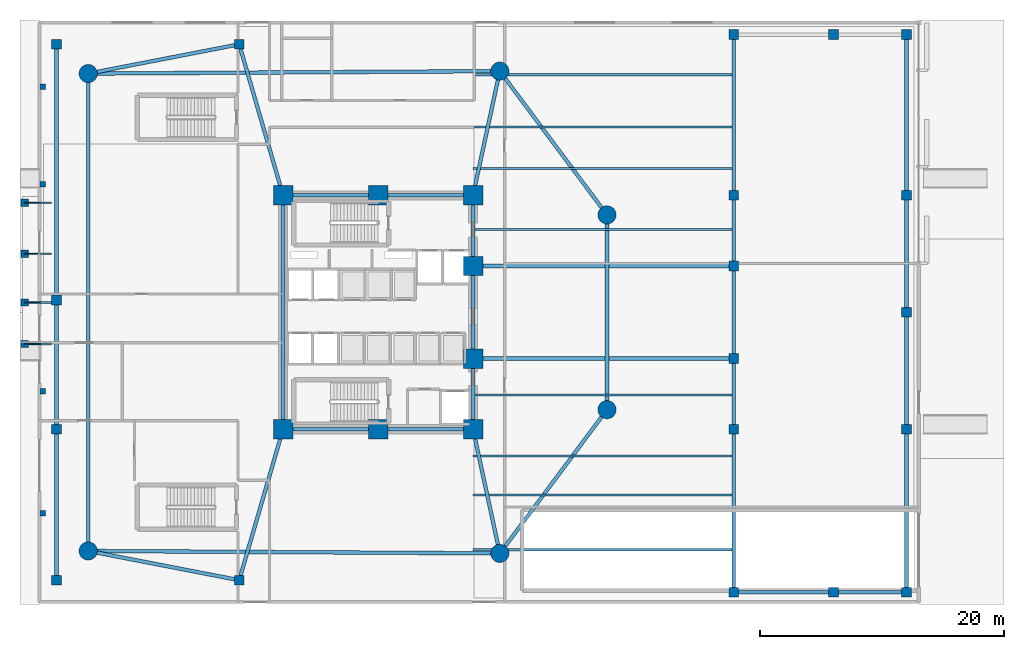
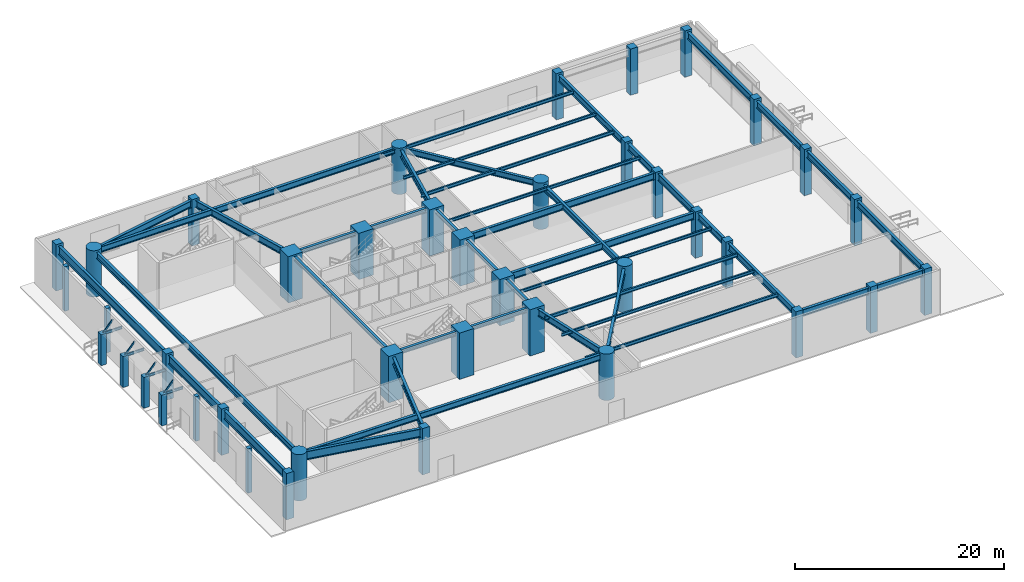
# One storey, part 1 of 16: 41 columns, 40 beams, 4 members.
"""IFC4 building model written with IfcOpenShell, lengths in metres."""

from ifc_helpers import new_model, si_unit, direction, frame, origin, origin_2d, place, context, subcontext, project, spatial, rectangle, hollow_rectangle, circle, i_section, extrude, material, material_profile, profile_set, type_object, element, save


model = new_model("IFC4")

# Units and contexts
model_context = context("Model", 3, precision=1e-05, world=origin(), true_north=direction((0.0, 1.0)))
body_context = subcontext(model_context, "Body", "Model", "MODEL_VIEW")
ifc_project = project(units=[si_unit("LENGTHUNIT", "METRE"), si_unit("AREAUNIT", "SQUARE_METRE"), si_unit("VOLUMEUNIT", "CUBIC_METRE"), si_unit("PLANEANGLEUNIT", "RADIAN"), si_unit("MASSUNIT", "GRAM", prefix="KILO")], contexts=[model_context])

# Site, building, storey
site_placement = place(None, origin())
site = spatial("IfcSite", under=ifc_project, at=site_placement, CompositionType="ELEMENT")
building_placement = place(site_placement, origin())
building = spatial("IfcBuilding", under=site, at=building_placement, Name="An Khanh Terracotta Commons", CompositionType="ELEMENT")
storey_placement = place(building_placement, origin())
storey = spatial("IfcBuildingStorey", under=building, at=storey_placement, Name="L01", CompositionType="ELEMENT", Elevation=0.0)

# Columns
ifc_material_1 = material(Name="Concrete C70/85", Category="concrete")
ifc_material_profile_1 = material_profile(ifc_material_1, circle(Radius=0.75, at=origin_2d()), Name="CFST1500")
ifc_profile_set_1 = profile_set([ifc_material_profile_1], Name="Concrete C70/85")
column_type_1 = type_object("IfcColumnType", Name="COL-CFST1500", PredefinedType="COLUMN", material=ifc_profile_set_1)
for number, where, z_axis, x_axis, name in (
    (1, (5.60009765625, 4.39990234375, 0.0), (0.0, 0.0, 1.0), (1.0, 0.0, 0.0), "L01 Mega-Column MC-01"),
    (2, (39.39990234375, 4.199951171875, 0.0), (0.0, 0.0, 1.0), (1.0, 0.0, 0.0), "L01 Mega-Column MC-02"),
    (3, (48.199951171875, 16.0, 0.0), (0.0, 0.0, 1.0), (1.0, 0.0, 0.0), "L01 Mega-Column MC-03"),
    (4, (48.199951171875, 32.0, 0.0), (0.0, 0.0, 1.0), (1.0, 0.0, 0.0), "L01 Mega-Column MC-04"),
    (5, (39.39990234375, 43.800048828125, 0.0), (0.0, 0.0, 1.0), (1.0, 0.0, 0.0), "L01 Mega-Column MC-05"),
    (6, (5.60009765625, 43.60009765625, 0.0), (0.0, 0.0, 1.0), (1.0, 0.0, 0.0), "L01 Mega-Column MC-06"),
):
    element("IfcColumn", number, at=place(storey_placement, frame(where, z_axis=z_axis, x_axis=x_axis)), inside=storey, type_object=column_type_1, Name=name, PredefinedType="COLUMN", context=body_context, shape_type="SweptSolid", body=[
        extrude(circle(Radius=0.75, at=origin_2d()), origin(), (0.0, 0.0, 1.0), 5.39990234375),
    ])
ifc_material_profile_2 = material_profile(ifc_material_1, rectangle(XDim=1.60009765625, YDim=1.60009765625, at=origin_2d()), Name="RC1600x1600")
ifc_profile_set_2 = profile_set([ifc_material_profile_2], Name="Concrete C70/85")
column_type_2 = type_object("IfcColumnType", Name="COL-RC1600x1600", PredefinedType="COLUMN", material=ifc_profile_set_2)
for number, where, z_axis, x_axis, name in (
    (7, (21.60009765625, 14.39990234375, 0.0), (0.0, 0.0, 1.0), (1.0, 0.0, 0.0), "L01 Core Boundary Column CC-01"),
    (8, (29.39990234375, 14.39990234375, 0.0), (0.0, 0.0, 1.0), (1.0, 0.0, 0.0), "L01 Core Boundary Column CC-02"),
    (9, (37.199951171875, 14.39990234375, 0.0), (0.0, 0.0, 1.0), (1.0, 0.0, 0.0), "L01 Core Boundary Column CC-03"),
    (10, (37.199951171875, 20.199951171875, 0.0), (0.0, 0.0, 1.0), (1.0, 0.0, 0.0), "L01 Core Boundary Column CC-04"),
    (11, (37.199951171875, 27.800048828125, 0.0), (0.0, 0.0, 1.0), (1.0, 0.0, 0.0), "L01 Core Boundary Column CC-05"),
    (12, (37.199951171875, 33.60009765625, 0.0), (0.0, 0.0, 1.0), (1.0, 0.0, 0.0), "L01 Core Boundary Column CC-06"),
    (13, (29.39990234375, 33.60009765625, 0.0), (0.0, 0.0, 1.0), (1.0, 0.0, 0.0), "L01 Core Boundary Column CC-07"),
    (14, (21.60009765625, 33.60009765625, 0.0), (0.0, 0.0, 1.0), (1.0, 0.0, 0.0), "L01 Core Boundary Column CC-08"),
):
    element("IfcColumn", number, at=place(storey_placement, frame(where, z_axis=z_axis, x_axis=x_axis)), inside=storey, type_object=column_type_2, Name=name, PredefinedType="COLUMN", context=body_context, shape_type="SweptSolid", body=[
        extrude(rectangle(XDim=1.60009765625, YDim=1.60009765625, at=origin_2d()), origin(), (0.0, 0.0, 1.0), 5.39990234375),
    ])
ifc_material_2 = material(Name="Concrete C50/60", Category="concrete")
ifc_material_profile_3 = material_profile(ifc_material_2, rectangle(XDim=0.60009765625, YDim=0.60009765625, at=origin_2d()), Name="RC600x600")
ifc_profile_set_3 = profile_set([ifc_material_profile_3], Name="Concrete C50/60")
column_type_3 = type_object("IfcColumnType", Name="COL-RC600x600", PredefinedType="COLUMN", material=ifc_profile_set_3)
for number, where, z_axis, x_axis, name in (
    (15, (0.39990234375, 21.39990234375, 0.0), (0.0, 0.0, 1.0), (1.0, 0.0, 0.0), "L01 Boulevard Canopy Support Column 1"),
    (16, (0.39990234375, 24.800048828125, 0.0), (0.0, 0.0, 1.0), (1.0, 0.0, 0.0), "L01 Boulevard Canopy Support Column 2"),
    (17, (0.39990234375, 28.800048828125, 0.0), (0.0, 0.0, 1.0), (1.0, 0.0, 0.0), "L01 Boulevard Canopy Support Column 3"),
    (18, (0.39990234375, 33.0, 0.0), (0.0, 0.0, 1.0), (1.0, 0.0, 0.0), "L01 Boulevard Canopy Support Column 4"),
):
    element("IfcColumn", number, at=place(storey_placement, frame(where, z_axis=z_axis, x_axis=x_axis)), inside=storey, type_object=column_type_3, Name=name, PredefinedType="COLUMN", context=body_context, shape_type="SweptSolid", body=[
        extrude(rectangle(XDim=0.60009765625, YDim=0.60009765625, at=origin_2d()), origin(), (0.0, 0.0, 1.0), 3.60009765625),
    ])
ifc_material_3 = material(Name="Concrete C60/75", Category="concrete")
ifc_material_profile_4 = material_profile(ifc_material_3, rectangle(XDim=0.800048828125, YDim=0.800048828125, at=origin_2d()), Name="RC800x800")
ifc_profile_set_4 = profile_set([ifc_material_profile_4], Name="Concrete C60/75")
column_type_4 = type_object("IfcColumnType", Name="COL-RC800x800", PredefinedType="COLUMN", material=ifc_profile_set_4)
for number, where, z_axis, x_axis, name in (
    (19, (3.0, 2.0, 0.0), (0.0, 0.0, 1.0), (1.0, 0.0, 0.0), "L01 Podium Column PC-01"),
    (20, (18.0, 2.0, 0.0), (0.0, 0.0, 1.0), (1.0, 0.0, 0.0), "L01 Podium Column PC-02"),
    (21, (58.60009765625, 1.0, 0.0), (0.0, 0.0, 1.0), (1.0, 0.0, 0.0), "L01 Podium Column PC-03"),
    (22, (72.800048828125, 1.0, 0.0), (0.0, 0.0, 1.0), (1.0, 0.0, 0.0), "L01 Podium Column PC-04"),
    (23, (72.800048828125, 14.39990234375, 0.0), (0.0, 0.0, 1.0), (1.0, 0.0, 0.0), "L01 Podium Column PC-05"),
    (24, (72.800048828125, 24.0, 0.0), (0.0, 0.0, 1.0), (1.0, 0.0, 0.0), "L01 Podium Column PC-06"),
    (25, (72.800048828125, 33.60009765625, 0.0), (0.0, 0.0, 1.0), (1.0, 0.0, 0.0), "L01 Podium Column PC-07"),
    (26, (72.800048828125, 46.800048828125, 0.0), (0.0, 0.0, 1.0), (1.0, 0.0, 0.0), "L01 Podium Column PC-08"),
    (27, (58.60009765625, 46.800048828125, 0.0), (0.0, 0.0, 1.0), (1.0, 0.0, 0.0), "L01 Podium Column PC-09"),
    (28, (18.0, 46.0, 0.0), (0.0, 0.0, 1.0), (1.0, 0.0, 0.0), "L01 Podium Column PC-10"),
    (29, (3.0, 46.0, 0.0), (0.0, 0.0, 1.0), (1.0, 0.0, 0.0), "L01 Podium Column PC-11"),
    (30, (3.0, 14.39990234375, 0.0), (0.0, 0.0, 1.0), (1.0, 0.0, 0.0), "L01 Podium Column PC-12"),
    (31, (3.0, 25.0, 0.0), (0.0, 0.0, 1.0), (1.0, 0.0, 0.0), "L01 Podium Column PC-17"),
    (32, (58.60009765625, 20.199951171875, 0.0), (0.0, 0.0, 1.0), (1.0, 0.0, 0.0), "L01 Podium Column PC-13"),
    (33, (58.60009765625, 27.800048828125, 0.0), (0.0, 0.0, 1.0), (1.0, 0.0, 0.0), "L01 Podium Column PC-14"),
    (34, (58.60009765625, 14.39990234375, 0.0), (0.0, 0.0, 1.0), (1.0, 0.0, 0.0), "L01 Podium Column PC-18"),
    (35, (58.60009765625, 33.60009765625, 0.0), (0.0, 0.0, 1.0), (1.0, 0.0, 0.0), "L01 Podium Column PC-19"),
    (36, (66.800048828125, 1.0, 0.0), (0.0, 0.0, 1.0), (1.0, 0.0, 0.0), "L01 Podium Column PC-15"),
    (37, (66.800048828125, 46.800048828125, 0.0), (0.0, 0.0, 1.0), (1.0, 0.0, 0.0), "L01 Podium Column PC-16"),
):
    element("IfcColumn", number, at=place(storey_placement, frame(where, z_axis=z_axis, x_axis=x_axis)), inside=storey, type_object=column_type_4, Name=name, PredefinedType="COLUMN", context=body_context, shape_type="SweptSolid", body=[
        extrude(rectangle(XDim=0.800048828125, YDim=0.800048828125, at=origin_2d()), origin(), (0.0, 0.0, 1.0), 5.39990234375),
    ])
ifc_material_profile_5 = material_profile(ifc_material_2, rectangle(XDim=0.449951171875, YDim=0.449951171875, at=origin_2d()), Name="RC450x450")
ifc_profile_set_5 = profile_set([ifc_material_profile_5], Name="Concrete C50/60")
column_type_5 = type_object("IfcColumnType", Name="PIL-RC450x450", PredefinedType="PILASTER", material=ifc_profile_set_5)
for number, where, z_axis, x_axis, name in (
    (38, (1.85009765625, 7.5, 0.0), (0.0, 0.0, 1.0), (1.0, 0.0, 0.0), "L01 Boulevard Arcade Pilaster 1"),
    (39, (1.85009765625, 17.5, 0.0), (0.0, 0.0, 1.0), (1.0, 0.0, 0.0), "L01 Boulevard Arcade Pilaster 2"),
    (40, (1.85009765625, 34.5, 0.0), (0.0, 0.0, 1.0), (1.0, 0.0, 0.0), "L01 Boulevard Arcade Pilaster 3"),
    (41, (1.85009765625, 42.5, 0.0), (0.0, 0.0, 1.0), (1.0, 0.0, 0.0), "L01 Boulevard Arcade Pilaster 4"),
):
    element("IfcColumn", number, at=place(storey_placement, frame(where, z_axis=z_axis, x_axis=x_axis)), inside=storey, type_object=column_type_5, Name=name, PredefinedType="PILASTER", context=body_context, shape_type="SweptSolid", body=[
        extrude(rectangle(XDim=0.449951171875, YDim=0.449951171875, at=origin_2d()), origin(), (0.0, 0.0, 1.0), 5.179931640625),
    ])

# Beams
ifc_material_4 = material(Name="Steel S355J2", Category="steel")
ifc_material_profile_6 = material_profile(ifc_material_4, i_section(OverallWidth=0.300048828125, OverallDepth=0.449951171875, WebThickness=0.013916015625, FlangeThickness=0.02587890625, FilletRadius=0.027099609375, at=origin_2d()), Name="HEB450")
ifc_profile_set_6 = profile_set([ifc_material_profile_6], Name="Steel S355J2")
beam_type_1 = type_object("IfcBeamType", Name="BM-HEB450", PredefinedType="BEAM", material=ifc_profile_set_6)
beam_1_placement = place(storey_placement, frame((37.199951171875, 14.39990234375, 4.955078125), z_axis=(0.0, 1.0, 0.0), x_axis=(-1.0, 0.0, 0.0)))
element("IfcBeam", 42, at=beam_1_placement, inside=storey, type_object=beam_type_1, Name="L01 Core East Coupling Girder 1", PredefinedType="BEAM", context=body_context, shape_type="SweptSolid", body=[
    extrude(i_section(OverallWidth=0.300048828125, OverallDepth=0.449951171875, WebThickness=0.013916015625, FlangeThickness=0.02587890625, FilletRadius=0.027099609375, at=origin_2d()), origin(), (0.0, 0.0, 1.0), 5.800048828125),
])
beam_2_placement = place(storey_placement, frame((37.199951171875, 20.199951171875, 4.955078125), z_axis=(0.0, 1.0, 0.0), x_axis=(-1.0, 0.0, 0.0)))
element("IfcBeam", 43, at=beam_2_placement, inside=storey, type_object=beam_type_1, Name="L01 Core East Coupling Girder 2", PredefinedType="BEAM", context=body_context, shape_type="SweptSolid", body=[
    extrude(i_section(OverallWidth=0.300048828125, OverallDepth=0.449951171875, WebThickness=0.013916015625, FlangeThickness=0.02587890625, FilletRadius=0.027099609375, at=origin_2d()), origin(), (0.0, 0.0, 1.0), 7.60009765625),
])
beam_3_placement = place(storey_placement, frame((37.199951171875, 27.800048828125, 4.955078125), z_axis=(0.0, 1.0, 0.0), x_axis=(-1.0, 0.0, 0.0)))
element("IfcBeam", 44, at=beam_3_placement, inside=storey, type_object=beam_type_1, Name="L01 Core East Coupling Girder 3", PredefinedType="BEAM", context=body_context, shape_type="SweptSolid", body=[
    extrude(i_section(OverallWidth=0.300048828125, OverallDepth=0.449951171875, WebThickness=0.013916015625, FlangeThickness=0.02587890625, FilletRadius=0.027099609375, at=origin_2d()), origin(), (0.0, 0.0, 1.0), 5.800048828125),
])
beam_4_placement = place(storey_placement, frame((21.60009765625, 14.39990234375, 4.955078125), z_axis=(0.0, 1.0, 0.0), x_axis=(-1.0, 0.0, 0.0)))
element("IfcBeam", 45, at=beam_4_placement, inside=storey, type_object=beam_type_1, Name="L01 Core West Coupling Girder", PredefinedType="BEAM", context=body_context, shape_type="SweptSolid", body=[
    extrude(i_section(OverallWidth=0.300048828125, OverallDepth=0.449951171875, WebThickness=0.013916015625, FlangeThickness=0.02587890625, FilletRadius=0.027099609375, at=origin_2d()), origin(), (0.0, 0.0, 1.0), 19.2001953125),
])
ifc_material_profile_7 = material_profile(ifc_material_4, i_section(OverallWidth=0.300048828125, OverallDepth=0.5, WebThickness=0.014404296875, FlangeThickness=0.028076171875, FilletRadius=0.027099609375, at=origin_2d()), Name="HEB500")
ifc_profile_set_7 = profile_set([ifc_material_profile_7], Name="Steel S355J2")
beam_type_2 = type_object("IfcBeamType", Name="BM-HEB500", PredefinedType="BEAM", material=ifc_profile_set_7)
for number, where, z_axis, x_axis, name in (
    (46, (21.60009765625, 14.39990234375, 4.929931640625), (1.0, 0.0, 0.0), (0.0, 1.0, 0.0), "L01 Core South Coupling Girder"),
    (47, (21.60009765625, 33.60009765625, 4.929931640625), (1.0, 0.0, 0.0), (0.0, 1.0, 0.0), "L01 Core North Coupling Girder"),
):
    element("IfcBeam", number, at=place(storey_placement, frame(where, z_axis=z_axis, x_axis=x_axis)), inside=storey, type_object=beam_type_2, Name=name, PredefinedType="BEAM", context=body_context, shape_type="SweptSolid", body=[
        extrude(i_section(OverallWidth=0.300048828125, OverallDepth=0.5, WebThickness=0.014404296875, FlangeThickness=0.028076171875, FilletRadius=0.027099609375, at=origin_2d()), origin(), (0.0, 0.0, 1.0), 15.599853515625),
    ])
ifc_material_profile_8 = material_profile(ifc_material_4, i_section(OverallWidth=0.300048828125, OverallDepth=0.699951171875, WebThickness=0.01708984375, FlangeThickness=0.031982421875, FilletRadius=0.027099609375, at=origin_2d()), Name="HEB700")
ifc_profile_set_8 = profile_set([ifc_material_profile_8], Name="Steel S355J2")
beam_type_3 = type_object("IfcBeamType", Name="BM-HEB700", PredefinedType="BEAM", material=ifc_profile_set_8)
beam_5_placement = place(storey_placement, frame((5.60009765625, 4.39990234375, 4.830078125), z_axis=(0.999982502414, -0.005915645817, 0.0), x_axis=(0.005915645817, 0.999982502414, 0.0)))
element("IfcBeam", 48, at=beam_5_placement, inside=storey, type_object=beam_type_3, Name="L01 Podium Mega-Ring Girder 1", PredefinedType="BEAM", context=body_context, shape_type="SweptSolid", body=[
    extrude(i_section(OverallWidth=0.300048828125, OverallDepth=0.699951171875, WebThickness=0.01708984375, FlangeThickness=0.031982421875, FilletRadius=0.027099609375, at=origin_2d()), origin(), (0.0, 0.0, 1.0), 33.80029296875),
])
beam_6_placement = place(storey_placement, frame((39.39990234375, 4.199951171875, 4.830078125), z_axis=(0.59782442166, 0.801627070942, 0.0), x_axis=(-0.801627070942, 0.59782442166, 0.0)))
element("IfcBeam", 49, at=beam_6_placement, inside=storey, type_object=beam_type_3, Name="L01 Podium Mega-Ring Girder 2", PredefinedType="BEAM", context=body_context, shape_type="SweptSolid", body=[
    extrude(i_section(OverallWidth=0.300048828125, OverallDepth=0.699951171875, WebThickness=0.01708984375, FlangeThickness=0.031982421875, FilletRadius=0.027099609375, at=origin_2d()), origin(), (0.0, 0.0, 1.0), 14.72021484375),
])
beam_7_placement = place(storey_placement, frame((48.199951171875, 16.0, 4.830078125), z_axis=(0.0, 1.0, 0.0), x_axis=(-1.0, 0.0, 0.0)))
element("IfcBeam", 50, at=beam_7_placement, inside=storey, type_object=beam_type_3, Name="L01 Podium Mega-Ring Girder 3", PredefinedType="BEAM", context=body_context, shape_type="SweptSolid", body=[
    extrude(i_section(OverallWidth=0.300048828125, OverallDepth=0.699951171875, WebThickness=0.01708984375, FlangeThickness=0.031982421875, FilletRadius=0.027099609375, at=origin_2d()), origin(), (0.0, 0.0, 1.0), 16.0),
])
beam_8_placement = place(storey_placement, frame((48.199951171875, 32.0, 4.830078125), z_axis=(-0.59782442166, 0.801627070942, 0.0), x_axis=(-0.801627070942, -0.59782442166, 0.0)))
element("IfcBeam", 51, at=beam_8_placement, inside=storey, type_object=beam_type_3, Name="L01 Podium Mega-Ring Girder 4", PredefinedType="BEAM", context=body_context, shape_type="SweptSolid", body=[
    extrude(i_section(OverallWidth=0.300048828125, OverallDepth=0.699951171875, WebThickness=0.01708984375, FlangeThickness=0.031982421875, FilletRadius=0.027099609375, at=origin_2d()), origin(), (0.0, 0.0, 1.0), 14.72021484375),
])
beam_9_placement = place(storey_placement, frame((39.39990234375, 43.800048828125, 4.830078125), z_axis=(-0.999982502414, -0.005915645817, 0.0), x_axis=(0.005915645817, -0.999982502414, 0.0)))
element("IfcBeam", 52, at=beam_9_placement, inside=storey, type_object=beam_type_3, Name="L01 Podium Mega-Ring Girder 5", PredefinedType="BEAM", context=body_context, shape_type="SweptSolid", body=[
    extrude(i_section(OverallWidth=0.300048828125, OverallDepth=0.699951171875, WebThickness=0.01708984375, FlangeThickness=0.031982421875, FilletRadius=0.027099609375, at=origin_2d()), origin(), (0.0, 0.0, 1.0), 33.80029296875),
])
beam_10_placement = place(storey_placement, frame((5.60009765625, 43.60009765625, 4.830078125), z_axis=(0.0, -1.0, 0.0), x_axis=(1.0, 0.0, 0.0)))
element("IfcBeam", 53, at=beam_10_placement, inside=storey, type_object=beam_type_3, Name="L01 Podium Mega-Ring Girder 6", PredefinedType="BEAM", context=body_context, shape_type="SweptSolid", body=[
    extrude(i_section(OverallWidth=0.300048828125, OverallDepth=0.699951171875, WebThickness=0.01708984375, FlangeThickness=0.031982421875, FilletRadius=0.027099609375, at=origin_2d()), origin(), (0.0, 0.0, 1.0), 39.2001953125),
])
ifc_material_profile_9 = material_profile(ifc_material_4, i_section(OverallWidth=0.300048828125, OverallDepth=0.800048828125, WebThickness=0.017578125, FlangeThickness=0.032958984375, FilletRadius=0.030029296875, at=origin_2d()), Name="HEB800")
ifc_profile_set_9 = profile_set([ifc_material_profile_9], Name="Steel S355J2")
beam_type_4 = type_object("IfcBeamType", Name="BM-HEB800", PredefinedType="BEAM", material=ifc_profile_set_9)
beam_11_placement = place(storey_placement, frame((18.0, 2.0, 4.780029296875), z_axis=(0.278819195264, 0.960343613689, 0.0), x_axis=(-0.960343613689, 0.278819195264, 0.0)))
element("IfcBeam", 54, at=beam_11_placement, inside=storey, type_object=beam_type_4, Name="L01 Primary Podium Girder 5", PredefinedType="BEAM", context=body_context, shape_type="SweptSolid", body=[
    extrude(i_section(OverallWidth=0.300048828125, OverallDepth=0.800048828125, WebThickness=0.017578125, FlangeThickness=0.032958984375, FilletRadius=0.030029296875, at=origin_2d()), origin(), (0.0, 0.0, 1.0), 12.911865234375),
])
for number, where, z_axis, x_axis, name in (
    (55, (39.39990234375, 4.199951171875, 4.780029296875), (-0.210834365214, 0.977521800496, 0.0), (-0.977521800496, -0.210834365214, 0.0), "L01 Primary Podium Girder 6"),
    (56, (39.39990234375, 43.800048828125, 4.780029296875), (-0.210834365214, -0.977521800496, 0.0), (0.977521800496, -0.210834365214, 0.0), "L01 Primary Podium Girder 7"),
):
    element("IfcBeam", number, at=place(storey_placement, frame(where, z_axis=z_axis, x_axis=x_axis)), inside=storey, type_object=beam_type_4, Name=name, PredefinedType="BEAM", context=body_context, shape_type="SweptSolid", body=[
        extrude(i_section(OverallWidth=0.300048828125, OverallDepth=0.800048828125, WebThickness=0.017578125, FlangeThickness=0.032958984375, FilletRadius=0.030029296875, at=origin_2d()), origin(), (0.0, 0.0, 1.0), 10.4345703125),
    ])
beam_12_placement = place(storey_placement, frame((5.60009765625, 43.60009765625, 4.780029296875), z_axis=(0.981781013874, 0.190015896168, 0.0), x_axis=(-0.190015896168, 0.981781013874, 0.0)))
element("IfcBeam", 57, at=beam_12_placement, inside=storey, type_object=beam_type_4, Name="L01 Primary Podium Girder 8", PredefinedType="BEAM", context=body_context, shape_type="SweptSolid", body=[
    extrude(i_section(OverallWidth=0.300048828125, OverallDepth=0.800048828125, WebThickness=0.017578125, FlangeThickness=0.032958984375, FilletRadius=0.030029296875, at=origin_2d()), origin(), (0.0, 0.0, 1.0), 12.630126953125),
])
beam_13_placement = place(storey_placement, frame((18.0, 46.0, 4.780029296875), z_axis=(0.278819195264, -0.960343613689, 0.0), x_axis=(0.960343613689, 0.278819195264, 0.0)))
element("IfcBeam", 58, at=beam_13_placement, inside=storey, type_object=beam_type_4, Name="L01 Primary Podium Girder 9", PredefinedType="BEAM", context=body_context, shape_type="SweptSolid", body=[
    extrude(i_section(OverallWidth=0.300048828125, OverallDepth=0.800048828125, WebThickness=0.017578125, FlangeThickness=0.032958984375, FilletRadius=0.030029296875, at=origin_2d()), origin(), (0.0, 0.0, 1.0), 12.911865234375),
])
beam_14_placement = place(storey_placement, frame((58.60009765625, 20.199951171875, 4.780029296875), z_axis=(0.0, 1.0, 0.0), x_axis=(-1.0, 0.0, 0.0)))
element("IfcBeam", 59, at=beam_14_placement, inside=storey, type_object=beam_type_4, Name="L01 Primary Podium Girder 10", PredefinedType="BEAM", context=body_context, shape_type="SweptSolid", body=[
    extrude(i_section(OverallWidth=0.300048828125, OverallDepth=0.800048828125, WebThickness=0.017578125, FlangeThickness=0.032958984375, FilletRadius=0.030029296875, at=origin_2d()), origin(), (0.0, 0.0, 1.0), 7.60009765625),
])
beam_15_placement = place(storey_placement, frame((58.60009765625, 1.0, 4.780029296875), z_axis=(0.0, 1.0, 0.0), x_axis=(-1.0, 0.0, 0.0)))
element("IfcBeam", 60, at=beam_15_placement, inside=storey, type_object=beam_type_4, Name="L01 Primary Podium Girder 11", PredefinedType="BEAM", context=body_context, shape_type="SweptSolid", body=[
    extrude(i_section(OverallWidth=0.300048828125, OverallDepth=0.800048828125, WebThickness=0.017578125, FlangeThickness=0.032958984375, FilletRadius=0.030029296875, at=origin_2d()), origin(), (0.0, 0.0, 1.0), 19.199951171875),
])
beam_16_placement = place(storey_placement, frame((58.60009765625, 27.800048828125, 4.780029296875), z_axis=(0.0, 1.0, 0.0), x_axis=(-1.0, 0.0, 0.0)))
element("IfcBeam", 61, at=beam_16_placement, inside=storey, type_object=beam_type_4, Name="L01 Primary Podium Girder 12", PredefinedType="BEAM", context=body_context, shape_type="SweptSolid", body=[
    extrude(i_section(OverallWidth=0.300048828125, OverallDepth=0.800048828125, WebThickness=0.017578125, FlangeThickness=0.032958984375, FilletRadius=0.030029296875, at=origin_2d()), origin(), (0.0, 0.0, 1.0), 19.0),
])
beam_17_placement = place(storey_placement, frame((58.60009765625, 1.0, 4.780029296875), z_axis=(1.0, 0.0, 0.0), x_axis=(0.0, 1.0, 0.0)))
element("IfcBeam", 62, at=beam_17_placement, inside=storey, type_object=beam_type_4, Name="L01 Primary Podium Girder 13", PredefinedType="BEAM", context=body_context, shape_type="SweptSolid", body=[
    extrude(i_section(OverallWidth=0.300048828125, OverallDepth=0.800048828125, WebThickness=0.017578125, FlangeThickness=0.032958984375, FilletRadius=0.030029296875, at=origin_2d()), origin(), (0.0, 0.0, 1.0), 14.199951171875),
])
beam_18_placement = place(storey_placement, frame((72.800048828125, 1.0, 4.780029296875), z_axis=(0.0, 1.0, 0.0), x_axis=(-1.0, 0.0, 0.0)))
element("IfcBeam", 63, at=beam_18_placement, inside=storey, type_object=beam_type_4, Name="L01 Primary Podium Girder 15", PredefinedType="BEAM", context=body_context, shape_type="SweptSolid", body=[
    extrude(i_section(OverallWidth=0.300048828125, OverallDepth=0.800048828125, WebThickness=0.017578125, FlangeThickness=0.032958984375, FilletRadius=0.030029296875, at=origin_2d()), origin(), (0.0, 0.0, 1.0), 45.800048828125),
])
for number, where, z_axis, x_axis, name in (
    (64, (37.199951171875, 20.199951171875, 4.780029296875), (1.0, 0.0, 0.0), (0.0, 1.0, 0.0), "L01 Primary Podium Girder 16"),
    (65, (37.199951171875, 27.800048828125, 4.780029296875), (1.0, 0.0, 0.0), (0.0, 1.0, 0.0), "L01 Primary Podium Girder 17"),
):
    element("IfcBeam", number, at=place(storey_placement, frame(where, z_axis=z_axis, x_axis=x_axis)), inside=storey, type_object=beam_type_4, Name=name, PredefinedType="BEAM", context=body_context, shape_type="SweptSolid", body=[
        extrude(i_section(OverallWidth=0.300048828125, OverallDepth=0.800048828125, WebThickness=0.017578125, FlangeThickness=0.032958984375, FilletRadius=0.030029296875, at=origin_2d()), origin(), (0.0, 0.0, 1.0), 21.400146484375),
    ])
ifc_material_5 = material(Name="Steel S460ML", Category="steel")
ifc_material_profile_10 = material_profile(ifc_material_5, i_section(OverallWidth=0.302001953125, OverallDepth=1.008056640625, WebThickness=0.02099609375, FlangeThickness=0.0400390625, FilletRadius=0.030029296875, at=origin_2d()), Name="HEM1000")
ifc_profile_set_10 = profile_set([ifc_material_profile_10], Name="Steel S460ML")
beam_type_5 = type_object("IfcBeamType", Name="BM-HEM1000", PredefinedType="BEAM", material=ifc_profile_set_10)
beam_19_placement = place(storey_placement, frame((3.0, 2.0, 4.676025390625), z_axis=(0.0, 1.0, 0.0), x_axis=(-1.0, 0.0, 0.0)))
element("IfcBeam", 66, at=beam_19_placement, inside=storey, type_object=beam_type_5, Name="L01 Primary Podium Girder 1", PredefinedType="BEAM", context=body_context, shape_type="SweptSolid", body=[
    extrude(i_section(OverallWidth=0.302001953125, OverallDepth=1.008056640625, WebThickness=0.02099609375, FlangeThickness=0.0400390625, FilletRadius=0.030029296875, at=origin_2d()), origin(), (0.0, 0.0, 1.0), 12.39990234375),
])
beam_20_placement = place(storey_placement, frame((3.0, 14.39990234375, 4.676025390625), z_axis=(0.0, 1.0, 0.0), x_axis=(-1.0, 0.0, 0.0)))
element("IfcBeam", 67, at=beam_20_placement, inside=storey, type_object=beam_type_5, Name="L01 Primary Podium Girder 2", PredefinedType="BEAM", context=body_context, shape_type="SweptSolid", body=[
    extrude(i_section(OverallWidth=0.302001953125, OverallDepth=1.008056640625, WebThickness=0.02099609375, FlangeThickness=0.0400390625, FilletRadius=0.030029296875, at=origin_2d()), origin(), (0.0, 0.0, 1.0), 10.60009765625),
])
beam_21_placement = place(storey_placement, frame((3.0, 25.0, 4.676025390625), z_axis=(0.0, 1.0, 0.0), x_axis=(-1.0, 0.0, 0.0)))
element("IfcBeam", 68, at=beam_21_placement, inside=storey, type_object=beam_type_5, Name="L01 Primary Podium Girder 3", PredefinedType="BEAM", context=body_context, shape_type="SweptSolid", body=[
    extrude(i_section(OverallWidth=0.302001953125, OverallDepth=1.008056640625, WebThickness=0.02099609375, FlangeThickness=0.0400390625, FilletRadius=0.030029296875, at=origin_2d()), origin(), (0.0, 0.0, 1.0), 21.0),
])
beam_22_placement = place(storey_placement, frame((5.60009765625, 4.39990234375, 4.676025390625), z_axis=(0.981781013874, -0.190015896168, 0.0), x_axis=(0.190015896168, 0.981781013874, 0.0)))
element("IfcBeam", 69, at=beam_22_placement, inside=storey, type_object=beam_type_5, Name="L01 Primary Podium Girder 4", PredefinedType="BEAM", context=body_context, shape_type="SweptSolid", body=[
    extrude(i_section(OverallWidth=0.302001953125, OverallDepth=1.008056640625, WebThickness=0.02099609375, FlangeThickness=0.0400390625, FilletRadius=0.030029296875, at=origin_2d()), origin(), (0.0, 0.0, 1.0), 12.630126953125),
])
ifc_material_profile_11 = material_profile(ifc_material_4, i_section(OverallWidth=0.14990234375, OverallDepth=0.300048828125, WebThickness=0.007080078125, FlangeThickness=0.0107421875, FilletRadius=0.014892578125, at=origin_2d()), Name="IPE300")
ifc_profile_set_11 = profile_set([ifc_material_profile_11], Name="Steel S355J2")
beam_type_6 = type_object("IfcBeamType", Name="BM-IPE300", PredefinedType="JOIST", material=ifc_profile_set_11)
for number, where, z_axis, x_axis, name in (
    (70, (0.39990234375, 21.39990234375, 3.449951171875), (1.0, 0.0, 0.0), (0.0, 1.0, 0.0), "L01 Boulevard Canopy Girder 1"),
    (71, (0.39990234375, 24.800048828125, 3.449951171875), (1.0, 0.0, 0.0), (0.0, 1.0, 0.0), "L01 Boulevard Canopy Girder 2"),
    (72, (0.39990234375, 28.800048828125, 3.449951171875), (1.0, 0.0, 0.0), (0.0, 1.0, 0.0), "L01 Boulevard Canopy Girder 3"),
    (73, (0.39990234375, 33.0, 3.449951171875), (1.0, 0.0, 0.0), (0.0, 1.0, 0.0), "L01 Boulevard Canopy Girder 4"),
):
    element("IfcBeam", number, at=place(storey_placement, frame(where, z_axis=z_axis, x_axis=x_axis)), inside=storey, type_object=beam_type_6, Name=name, PredefinedType="JOIST", context=body_context, shape_type="SweptSolid", body=[
        extrude(i_section(OverallWidth=0.14990234375, OverallDepth=0.300048828125, WebThickness=0.007080078125, FlangeThickness=0.0107421875, FilletRadius=0.014892578125, at=origin_2d()), origin(), (0.0, 0.0, 1.0), 2.2001953125),
    ])
ifc_material_profile_12 = material_profile(ifc_material_4, i_section(OverallWidth=0.169921875, OverallDepth=0.360107421875, WebThickness=0.008056640625, FlangeThickness=0.0126953125, FilletRadius=0.01806640625, at=origin_2d()), Name="IPE360")
ifc_profile_set_12 = profile_set([ifc_material_profile_12], Name="Steel S355J2")
beam_type_7 = type_object("IfcBeamType", Name="BM-IPE360", PredefinedType="JOIST", material=ifc_profile_set_12)
for number, where, z_axis, x_axis, name in (
    (74, (37.199951171875, 9.0, 5.0), (1.0, 0.0, 0.0), (0.0, 1.0, 0.0), "L01 East Composite Floor Joist 2"),
    (75, (37.199951171875, 17.199951171875, 5.0), (1.0, 0.0, 0.0), (0.0, 1.0, 0.0), "L01 East Composite Floor Joist 4"),
    (76, (37.199951171875, 30.800048828125, 5.0), (1.0, 0.0, 0.0), (0.0, 1.0, 0.0), "L01 East Composite Floor Joist 6"),
    (77, (37.199951171875, 39.199951171875, 5.0), (1.0, 0.0, 0.0), (0.0, 1.0, 0.0), "L01 East Composite Floor Joist 8"),
):
    element("IfcBeam", number, at=place(storey_placement, frame(where, z_axis=z_axis, x_axis=x_axis)), inside=storey, type_object=beam_type_7, Name=name, PredefinedType="JOIST", context=body_context, shape_type="SweptSolid", body=[
        extrude(i_section(OverallWidth=0.169921875, OverallDepth=0.360107421875, WebThickness=0.008056640625, FlangeThickness=0.0126953125, FilletRadius=0.01806640625, at=origin_2d()), origin(), (0.0, 0.0, 1.0), 21.25),
    ])
ifc_material_profile_13 = material_profile(ifc_material_4, i_section(OverallWidth=0.179931640625, OverallDepth=0.39990234375, WebThickness=0.008544921875, FlangeThickness=0.013427734375, FilletRadius=0.02099609375, at=origin_2d()), Name="IPE400")
ifc_profile_set_13 = profile_set([ifc_material_profile_13], Name="Steel S355J2")
beam_type_8 = type_object("IfcBeamType", Name="BM-IPE400", PredefinedType="JOIST", material=ifc_profile_set_13)
for number, where, z_axis, x_axis, name in (
    (78, (37.199951171875, 4.5, 4.97998046875), (1.0, 0.0, 0.0), (0.0, 1.0, 0.0), "L01 East Composite Floor Joist 1"),
    (79, (37.199951171875, 12.199951171875, 4.97998046875), (1.0, 0.0, 0.0), (0.0, 1.0, 0.0), "L01 East Composite Floor Joist 3"),
    (80, (37.199951171875, 35.800048828125, 4.97998046875), (1.0, 0.0, 0.0), (0.0, 1.0, 0.0), "L01 East Composite Floor Joist 7"),
    (81, (37.199951171875, 43.5, 4.97998046875), (1.0, 0.0, 0.0), (0.0, 1.0, 0.0), "L01 East Composite Floor Joist 9"),
):
    element("IfcBeam", number, at=place(storey_placement, frame(where, z_axis=z_axis, x_axis=x_axis)), inside=storey, type_object=beam_type_8, Name=name, PredefinedType="JOIST", context=body_context, shape_type="SweptSolid", body=[
        extrude(i_section(OverallWidth=0.179931640625, OverallDepth=0.39990234375, WebThickness=0.008544921875, FlangeThickness=0.013427734375, FilletRadius=0.02099609375, at=origin_2d()), origin(), (0.0, 0.0, 1.0), 21.25),
    ])

# Members
ifc_material_profile_14 = material_profile(ifc_material_4, hollow_rectangle(XDim=0.10009765625, YDim=0.199951171875, WallThickness=0.008056640625, InnerFilletRadius=0.008056640625, OuterFilletRadius=0.01611328125, at=origin_2d()), Name="RHS200x100x8")
ifc_profile_set_14 = profile_set([ifc_material_profile_14], Name="Steel S355J2")
member_type = type_object("IfcMemberType", Name="CANOPY-TIE-RHS200", PredefinedType="STRUT", material=ifc_profile_set_14)
for number, where, z_axis, x_axis, name in (
    (82, (0.39990234375, 21.39990234375, 3.39990234375), (0.664397392643, 0.0, 0.747379491724), (0.0, 1.0, 0.0), "L01 Boulevard Entrance Canopy Tie Strut 1"),
    (83, (0.39990234375, 24.800048828125, 3.39990234375), (0.664397392643, 0.0, 0.747379491724), (0.0, 1.0, 0.0), "L01 Boulevard Entrance Canopy Tie Strut 2"),
    (84, (0.39990234375, 28.800048828125, 3.39990234375), (0.664397392643, 0.0, 0.747379491724), (0.0, 1.0, 0.0), "L01 Boulevard Entrance Canopy Tie Strut 3"),
    (85, (0.39990234375, 33.0, 3.39990234375), (0.664397392643, 0.0, 0.747379491724), (0.0, 1.0, 0.0), "L01 Boulevard Entrance Canopy Tie Strut 4"),
):
    element("IfcMember", number, at=place(storey_placement, frame(where, z_axis=z_axis, x_axis=x_axis)), inside=storey, type_object=member_type, Name=name, PredefinedType="STRUT", context=body_context, shape_type="SweptSolid", body=[
        extrude(hollow_rectangle(XDim=0.10009765625, YDim=0.199951171875, WallThickness=0.008056640625, InnerFilletRadius=0.008056640625, OuterFilletRadius=0.01611328125, at=origin_2d()), origin(), (0.0, 0.0, 1.0), 1.806396484375),
    ])

save(model, "model.ifc")
